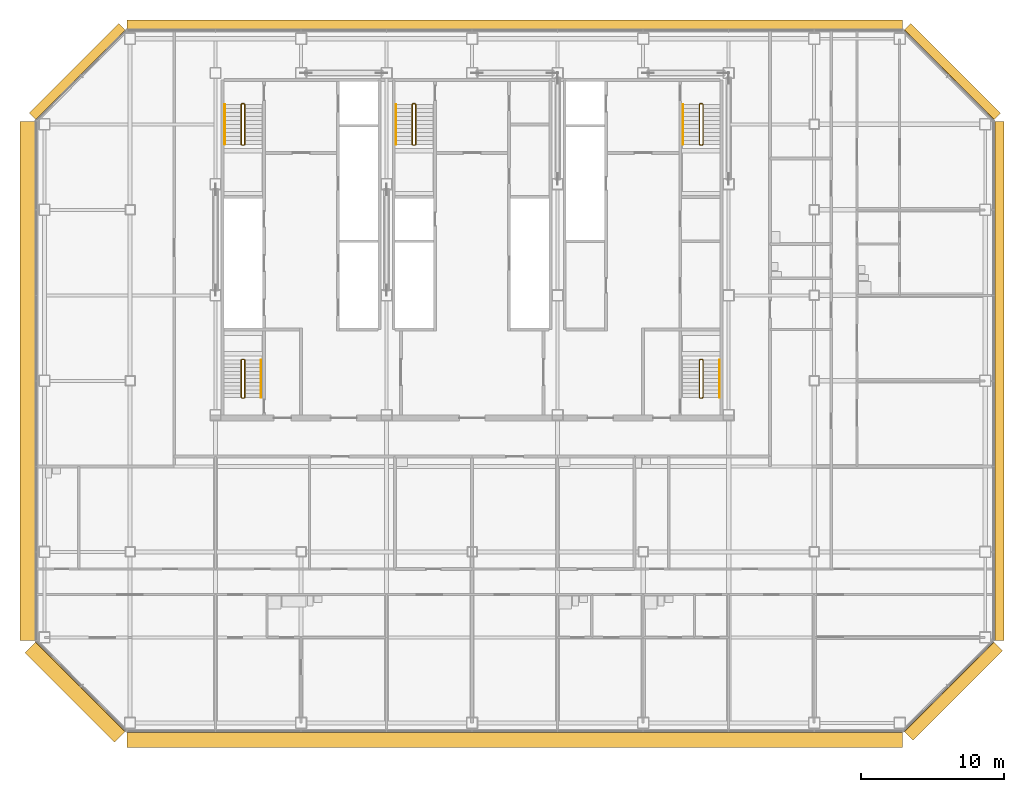
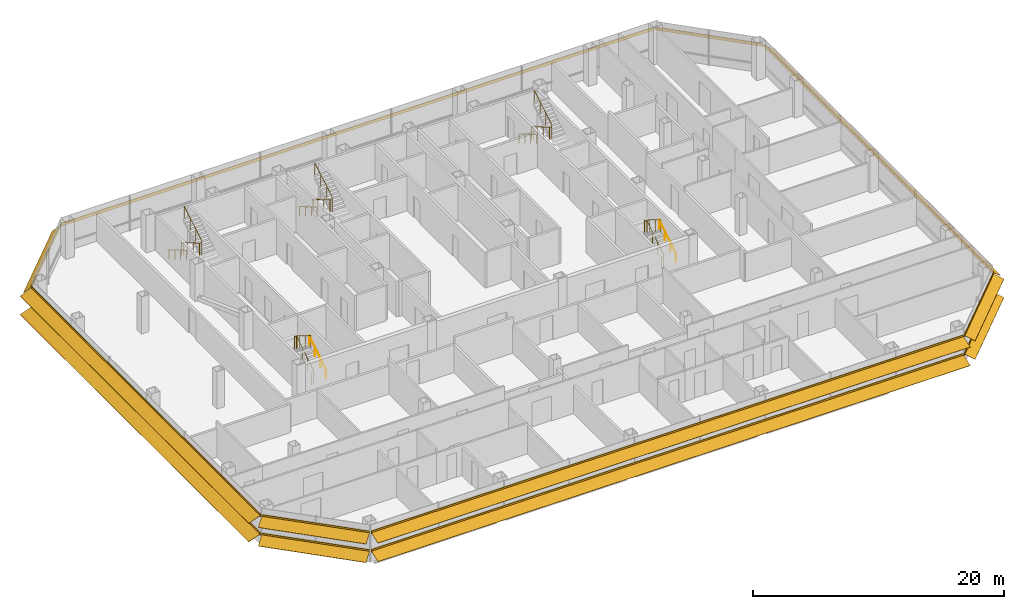
# One storey, part 24 of 25: 10 railings, 8 shading devices.
"""IFC4 building model written with IfcOpenShell, lengths in metres."""

from ifc_helpers import new_model, si_unit, direction, frame, origin, origin_2d, place, context, subcontext, project, spatial, polyline, circle, outline, composite_profile, extrude, material, type_object, element, save


model = new_model("IFC4")

# Units and contexts
model_context = context("Model", 3, precision=1e-05, world=origin(), true_north=direction((0.0, 1.0)))
body_context = subcontext(model_context, "Body", "Model", "MODEL_VIEW")
ifc_project = project(units=[si_unit("LENGTHUNIT", "METRE"), si_unit("AREAUNIT", "SQUARE_METRE"), si_unit("VOLUMEUNIT", "CUBIC_METRE"), si_unit("PLANEANGLEUNIT", "RADIAN"), si_unit("MASSUNIT", "GRAM", prefix="KILO")], contexts=[model_context])

# Site, building, storey
site_placement = place(None, origin())
site = spatial("IfcSite", under=ifc_project, at=site_placement, CompositionType="ELEMENT")
building_placement = place(site_placement, origin())
building = spatial("IfcBuilding", under=site, at=building_placement, Name="Sorahane Residences", CompositionType="ELEMENT")
storey_placement = place(building_placement, frame((0.0, 0.0, 123.199951171875)))
storey = spatial("IfcBuildingStorey", under=building, at=storey_placement, Name="L27", CompositionType="ELEMENT", Elevation=123.199951171875)

# Shading devices
ifc_material_1 = material(Name="Terracotta anodised aluminium", Category="masonry")
shading_device_type_1 = type_object("IfcShadingDeviceType", Name="Louvre sunshade blade E terracotta aluminium 700", PredefinedType="JALOUSIE", material=ifc_material_1)
shading_device_1_placement = place(storey_placement, frame((60.60009765625, 5.801513671875, 2.699951171875), z_axis=(0.0, 1.0, 0.0), x_axis=(-1.0, 0.0, 0.0)))
element("IfcShadingDevice", 1, at=shading_device_1_placement, inside=storey, type_object=shading_device_type_1, Name="Louvre sunshade blade bank E L27 E1", PredefinedType="JALOUSIE", context=body_context, shape_type="SweptSolid", body=[
    extrude(outline(polyline([(-0.719970703125, -0.49365234375), (-0.719970703125, -0.523681640625), (-0.080078125, -0.05859375), (-0.080078125, -0.14990234375), (-0.02001953125, -0.14990234375), (-0.02001953125, -0.014892578125), (-0.02001953125, 0.014892578125), (-0.02001953125, 0.14990234375), (-0.080078125, 0.14990234375), (-0.080078125, -0.028564453125), (-0.719970703125, -0.49365234375)])), origin(), (0.0, 0.0, 1.0), 36.39697265625),
])
ifc_material_2 = material(Name="Terracotta anodised aluminium", Category="masonry")
shading_device_type_2 = type_object("IfcShadingDeviceType", Name="Louvre sunshade blade N terracotta aluminium 700", PredefinedType="JALOUSIE", material=ifc_material_2)
shading_device_2_placement = place(storey_placement, frame((54.198486328125, 48.60009765625, 2.699951171875), z_axis=(-1.0, 0.0, 0.0), x_axis=(0.0, -1.0, 0.0)))
element("IfcShadingDevice", 2, at=shading_device_2_placement, inside=storey, type_object=shading_device_type_2, Name="Louvre sunshade blade bank N L27 N1", PredefinedType="JALOUSIE", context=body_context, shape_type="SweptSolid", body=[
    extrude(outline(polyline([(-0.719970703125, -0.660888671875), (-0.719970703125, -0.69091796875), (-0.080078125, -0.072998046875), (-0.080078125, -0.14990234375), (-0.02001953125, -0.14990234375), (-0.02001953125, -0.014892578125), (-0.02001953125, 0.014892578125), (-0.02001953125, 0.14990234375), (-0.080078125, 0.14990234375), (-0.080078125, -0.04296875), (-0.719970703125, -0.660888671875)])), origin(), (0.0, 0.0, 1.0), 54.39697265625),
])
ifc_material_3 = material(Name="Terracotta anodised aluminium", Category="masonry")
shading_device_type_3 = type_object("IfcShadingDeviceType", Name="Louvre sunshade blade NE terracotta aluminium 700", PredefinedType="JALOUSIE", material=ifc_material_3)
shading_device_3_placement = place(storey_placement, frame((60.564697265625, 42.283935546875, 2.699951171875), z_axis=(-0.707106781187, 0.707106781187, 0.0), x_axis=(-0.707106781187, -0.707106781187, 0.0)))
element("IfcShadingDevice", 3, at=shading_device_3_placement, inside=storey, type_object=shading_device_type_3, Name="Louvre sunshade blade bank NE L27 NE1", PredefinedType="JALOUSIE", context=body_context, shape_type="SweptSolid", body=[
    extrude(outline(polyline([(-0.719970703125, -0.572509765625), (-0.719970703125, -0.602294921875), (-0.080078125, -0.065185546875), (-0.080078125, -0.14990234375), (-0.02001953125, -0.14990234375), (-0.02001953125, -0.014892578125), (-0.02001953125, 0.014892578125), (-0.02001953125, 0.14990234375), (-0.080078125, 0.14990234375), (-0.080078125, -0.035400390625), (-0.719970703125, -0.572509765625)])), origin(), (0.0, 0.0, 1.0), 8.88232421875),
])
ifc_material_4 = material(Name="Terracotta anodised aluminium", Category="masonry")
shading_device_type_4 = type_object("IfcShadingDeviceType", Name="Louvre sunshade blade NW terracotta aluminium 700", PredefinedType="JALOUSIE", material=ifc_material_4)
shading_device_4_placement = place(storey_placement, frame((-0.283935546875, 48.564697265625, 2.699951171875), z_axis=(-0.707106781187, -0.707106781187, 0.0), x_axis=(0.707106781187, -0.707106781187, 0.0)))
element("IfcShadingDevice", 4, at=shading_device_4_placement, inside=storey, type_object=shading_device_type_4, Name="Louvre sunshade blade bank NW L27 NW1", PredefinedType="JALOUSIE", context=body_context, shape_type="SweptSolid", body=[
    extrude(outline(polyline([(-0.719970703125, -0.660888671875), (-0.719970703125, -0.69091796875), (-0.080078125, -0.072998046875), (-0.080078125, -0.14990234375), (-0.02001953125, -0.14990234375), (-0.02001953125, -0.014892578125), (-0.02001953125, 0.014892578125), (-0.02001953125, 0.14990234375), (-0.080078125, 0.14990234375), (-0.080078125, -0.04296875), (-0.719970703125, -0.660888671875)])), origin(), (0.0, 0.0, 1.0), 8.88232421875),
])
ifc_material_5 = material(Name="Terracotta anodised aluminium", Category="masonry")
shading_device_type_5 = type_object("IfcShadingDeviceType", Name="Louvre sunshade blade S terracotta aluminium 1100", PredefinedType="JALOUSIE", material=ifc_material_5)
shading_device_5_placement = place(storey_placement, frame((-0.198486328125, -0.60009765625, 0.900146484375), z_axis=(1.0, 0.0, 0.0), x_axis=(0.0, 1.0, 0.0)))
element("IfcShadingDevice", 5, at=shading_device_5_placement, inside=storey, type_object=shading_device_type_5, Name="Louvre sunshade blade bank S L27 S1", PredefinedType="JALOUSIE", context=body_context, shape_type="SweptSolid", body=[
    extrude(composite_profile([outline(polyline([(-1.1201171875, -0.385498046875), (-1.1201171875, -0.415283203125), (-0.080078125, -0.036865234375), (-0.080078125, -0.14990234375), (-0.02001953125, -0.14990234375), (-0.02001953125, -0.014892578125), (-0.02001953125, 0.014892578125), (-0.02001953125, 0.14990234375), (-0.080078125, 0.14990234375), (-0.080078125, -0.0068359375), (-1.1201171875, -0.385498046875)])), outline(polyline([(-1.1201171875, 1.41455078125), (-1.1201171875, 1.384521484375), (-0.080078125, 1.76318359375), (-0.080078125, 1.64990234375), (-0.02001953125, 1.64990234375), (-0.02001953125, 1.784912109375), (-0.02001953125, 1.81494140625), (-0.02001953125, 1.949951171875), (-0.080078125, 1.949951171875), (-0.080078125, 1.793212890625), (-1.1201171875, 1.41455078125)]))]), origin(), (0.0, 0.0, 1.0), 54.39697265625),
])
ifc_material_6 = material(Name="Terracotta anodised aluminium", Category="masonry")
shading_device_type_6 = type_object("IfcShadingDeviceType", Name="Louvre sunshade blade SE terracotta aluminium 900", PredefinedType="JALOUSIE", material=ifc_material_6)
shading_device_6_placement = place(storey_placement, frame((54.283935546875, -0.564697265625, 0.900146484375), z_axis=(0.707106781187, 0.707106781187, 0.0), x_axis=(-0.707106781187, 0.707106781187, 0.0)))
element("IfcShadingDevice", 6, at=shading_device_6_placement, inside=storey, type_object=shading_device_type_6, Name="Louvre sunshade blade bank SE L27 SE1", PredefinedType="JALOUSIE", context=body_context, shape_type="SweptSolid", body=[
    extrude(composite_profile([outline(polyline([(-0.919921875, -0.3486328125), (-0.919921875, -0.378662109375), (-0.080078125, -0.039306640625), (-0.080078125, -0.14990234375), (-0.02001953125, -0.14990234375), (-0.02001953125, -0.014892578125), (-0.02001953125, 0.014892578125), (-0.02001953125, 0.14990234375), (-0.080078125, 0.14990234375), (-0.080078125, -0.00927734375), (-0.919921875, -0.3486328125)])), outline(polyline([(-0.919921875, 1.451416015625), (-0.919921875, 1.42138671875), (-0.080078125, 1.7607421875), (-0.080078125, 1.64990234375), (-0.02001953125, 1.64990234375), (-0.02001953125, 1.784912109375), (-0.02001953125, 1.81494140625), (-0.02001953125, 1.949951171875), (-0.080078125, 1.949951171875), (-0.080078125, 1.790771484375), (-0.919921875, 1.451416015625)]))]), origin(), (0.0, 0.0, 1.0), 8.88232421875),
])
ifc_material_7 = material(Name="Terracotta anodised aluminium", Category="masonry")
shading_device_type_7 = type_object("IfcShadingDeviceType", Name="Louvre sunshade blade SW terracotta aluminium 1100", PredefinedType="JALOUSIE", material=ifc_material_7)
shading_device_7_placement = place(storey_placement, frame((-6.564697265625, 5.716064453125, 0.900146484375), z_axis=(0.707106781187, -0.707106781187, 0.0), x_axis=(0.707106781187, 0.707106781187, 0.0)))
element("IfcShadingDevice", 7, at=shading_device_7_placement, inside=storey, type_object=shading_device_type_7, Name="Louvre sunshade blade bank SW L27 SW1", PredefinedType="JALOUSIE", context=body_context, shape_type="SweptSolid", body=[
    extrude(composite_profile([outline(polyline([(-1.1201171875, -0.385498046875), (-1.1201171875, -0.415283203125), (-0.080078125, -0.036865234375), (-0.080078125, -0.14990234375), (-0.02001953125, -0.14990234375), (-0.02001953125, -0.014892578125), (-0.02001953125, 0.014892578125), (-0.02001953125, 0.14990234375), (-0.080078125, 0.14990234375), (-0.080078125, -0.0068359375), (-1.1201171875, -0.385498046875)])), outline(polyline([(-1.1201171875, 1.41455078125), (-1.1201171875, 1.384521484375), (-0.080078125, 1.76318359375), (-0.080078125, 1.64990234375), (-0.02001953125, 1.64990234375), (-0.02001953125, 1.784912109375), (-0.02001953125, 1.81494140625), (-0.02001953125, 1.949951171875), (-0.080078125, 1.949951171875), (-0.080078125, 1.793212890625), (-1.1201171875, 1.41455078125)]))]), origin(), (0.0, 0.0, 1.0), 8.88232421875),
])
ifc_material_8 = material(Name="Terracotta anodised aluminium", Category="masonry")
shading_device_type_8 = type_object("IfcShadingDeviceType", Name="Louvre sunshade blade W terracotta aluminium 1100", PredefinedType="JALOUSIE", material=ifc_material_8)
shading_device_8_placement = place(storey_placement, frame((-6.60009765625, 42.198486328125, 0.900146484375), z_axis=(0.0, -1.0, 0.0), x_axis=(1.0, 0.0, 0.0)))
element("IfcShadingDevice", 8, at=shading_device_8_placement, inside=storey, type_object=shading_device_type_8, Name="Louvre sunshade blade bank W L27 W1", PredefinedType="JALOUSIE", context=body_context, shape_type="SweptSolid", body=[
    extrude(composite_profile([outline(polyline([(-1.1201171875, -0.385498046875), (-1.1201171875, -0.415283203125), (-0.080078125, -0.036865234375), (-0.080078125, -0.14990234375), (-0.02001953125, -0.14990234375), (-0.02001953125, -0.014892578125), (-0.02001953125, 0.014892578125), (-0.02001953125, 0.14990234375), (-0.080078125, 0.14990234375), (-0.080078125, -0.0068359375), (-1.1201171875, -0.385498046875)])), outline(polyline([(-1.1201171875, 1.41455078125), (-1.1201171875, 1.384521484375), (-0.080078125, 1.76318359375), (-0.080078125, 1.64990234375), (-0.02001953125, 1.64990234375), (-0.02001953125, 1.784912109375), (-0.02001953125, 1.81494140625), (-0.02001953125, 1.949951171875), (-0.080078125, 1.949951171875), (-0.080078125, 1.793212890625), (-1.1201171875, 1.41455078125)]))]), origin(), (0.0, 0.0, 1.0), 36.39697265625),
])

# Railings
ifc_material_9 = material(Name="Steel Q355B", Category="steel")
railing_type_1 = type_object("IfcRailingType", Name="Stair guard 1200 Steel Q355B", PredefinedType="GUARDRAIL", material=ifc_material_9)
railing_1_placement = place(storey_placement, frame((8.0, 43.449951171875, 0.0)))
element("IfcRailing", 9, at=railing_1_placement, inside=storey, type_object=railing_type_1, Name="L27 S1 stair guard 1", PredefinedType="GUARDRAIL", context=body_context, shape_type="SweptSolid", body=[
    extrude(circle(Radius=0.02392578125, at=origin_2d()), frame((0.0, 0.0, 1.17578125), z_axis=(-1.0, 0.0, 0.0), x_axis=(0.0, -1.0, 0.0)), (0.0, 0.0, 1.0), 0.14990234375),
    extrude(circle(Radius=0.02392578125, at=origin_2d()), frame((-0.14990234375, 0.0, 1.17578125), z_axis=(-0.280808744504, -0.280808744504, 0.917765164963), x_axis=(0.707106781187, -0.707106781187, 0.0)), (0.0, 0.0, 1.0), 0.17822265625),
    extrude(circle(Radius=0.02392578125, at=origin_2d()), frame((-0.199951171875, -0.050048828125, 1.33935546875), z_axis=(0.0, -0.863341702679, 0.504619762213), x_axis=(1.0, 0.0, 0.0)), (0.0, 0.0, 1.0), 3.242919921875),
    extrude(circle(Radius=0.02392578125, at=origin_2d()), frame((-0.199951171875, -2.849853515625, 2.97607421875), z_axis=(0.707106781187, -0.707106781187, 0.0), x_axis=(0.707106781187, 0.707106781187, 0.0)), (0.0, 0.0, 1.0), 0.07080078125),
    extrude(circle(Radius=0.02392578125, at=origin_2d()), frame((-0.14990234375, -2.89990234375, 2.97607421875), z_axis=(1.0, 0.0, 0.0), x_axis=(0.0, 1.0, 0.0)), (0.0, 0.0, 1.0), 0.14990234375),
    extrude(circle(Radius=0.02392578125, at=origin_2d()), frame((0.0, -2.89990234375, 2.97607421875), z_axis=(0.280808744504, 0.280808744504, 0.917765164963), x_axis=(-0.707106781187, 0.707106781187, 0.0)), (0.0, 0.0, 1.0), 0.17822265625),
    extrude(circle(Radius=0.02392578125, at=origin_2d()), frame((0.050048828125, -2.849853515625, 3.1396484375), z_axis=(0.0, 0.863341702679, 0.504619762213), x_axis=(-1.0, 0.0, 0.0)), (0.0, 0.0, 1.0), 3.242919921875),
    extrude(circle(Radius=0.02099609375, at=origin_2d()), origin(), (0.0, 0.0, 1.0), 1.15185546875),
    extrude(circle(Radius=0.02099609375, at=origin_2d()), frame((-0.14990234375, 0.0, 0.0)), (0.0, 0.0, 1.0), 1.15185546875),
    extrude(circle(Radius=0.02099609375, at=origin_2d()), frame((-0.199951171875, -0.050048828125, 0.16357421875)), (0.0, 0.0, 1.0), 1.15185546875),
    extrude(circle(Radius=0.02099609375, at=origin_2d()), frame((-0.199951171875, -0.9833984375, 0.708984375)), (0.0, 0.0, 1.0), 1.15185546875),
    extrude(circle(Radius=0.02099609375, at=origin_2d()), frame((-0.199951171875, -1.91650390625, 1.254638671875)), (0.0, 0.0, 1.0), 1.15185546875),
    extrude(circle(Radius=0.02099609375, at=origin_2d()), frame((-0.199951171875, -2.849853515625, 1.800048828125)), (0.0, 0.0, 1.0), 1.15185546875),
    extrude(circle(Radius=0.02099609375, at=origin_2d()), frame((-0.14990234375, -2.89990234375, 1.800048828125)), (0.0, 0.0, 1.0), 1.15185546875),
    extrude(circle(Radius=0.02099609375, at=origin_2d()), frame((0.0, -2.89990234375, 1.800048828125)), (0.0, 0.0, 1.0), 1.15185546875),
    extrude(circle(Radius=0.02099609375, at=origin_2d()), frame((0.050048828125, -2.849853515625, 1.963623046875)), (0.0, 0.0, 1.0), 1.15185546875),
    extrude(circle(Radius=0.02099609375, at=origin_2d()), frame((0.050048828125, -1.91650390625, 2.509033203125)), (0.0, 0.0, 1.0), 1.15185546875),
    extrude(circle(Radius=0.02099609375, at=origin_2d()), frame((0.050048828125, -0.9833984375, 3.0546875)), (0.0, 0.0, 1.0), 1.15185546875),
    extrude(circle(Radius=0.02099609375, at=origin_2d()), frame((0.050048828125, -0.050048828125, 3.60009765625)), (0.0, 0.0, 1.0), 1.15185546875),
])
railing_2_placement = place(storey_placement, frame((40.14990234375, 43.449951171875, 0.0)))
element("IfcRailing", 10, at=railing_2_placement, inside=storey, type_object=railing_type_1, Name="L27 S2 stair guard 1", PredefinedType="GUARDRAIL", context=body_context, shape_type="SweptSolid", body=[
    extrude(circle(Radius=0.02392578125, at=origin_2d()), frame((0.0, 0.0, 1.17578125), z_axis=(-1.0, 0.0, 0.0), x_axis=(0.0, -1.0, 0.0)), (0.0, 0.0, 1.0), 0.14990234375),
    extrude(circle(Radius=0.02392578125, at=origin_2d()), frame((-0.14990234375, 0.0, 1.17578125), z_axis=(-0.280808744504, -0.280808744504, 0.917765164963), x_axis=(0.707106781187, -0.707106781187, 0.0)), (0.0, 0.0, 1.0), 0.17822265625),
    extrude(circle(Radius=0.02392578125, at=origin_2d()), frame((-0.199951171875, -0.050048828125, 1.33935546875), z_axis=(0.0, -0.863341702679, 0.504619762213), x_axis=(1.0, 0.0, 0.0)), (0.0, 0.0, 1.0), 3.242919921875),
    extrude(circle(Radius=0.02392578125, at=origin_2d()), frame((-0.199951171875, -2.849853515625, 2.97607421875), z_axis=(0.707106781187, -0.707106781187, 0.0), x_axis=(0.707106781187, 0.707106781187, 0.0)), (0.0, 0.0, 1.0), 0.07080078125),
    extrude(circle(Radius=0.02392578125, at=origin_2d()), frame((-0.14990234375, -2.89990234375, 2.97607421875), z_axis=(1.0, 0.0, 0.0), x_axis=(0.0, 1.0, 0.0)), (0.0, 0.0, 1.0), 0.14990234375),
    extrude(circle(Radius=0.02392578125, at=origin_2d()), frame((0.0, -2.89990234375, 2.97607421875), z_axis=(0.280808744504, 0.280808744504, 0.917765164963), x_axis=(-0.707106781187, 0.707106781187, 0.0)), (0.0, 0.0, 1.0), 0.17822265625),
    extrude(circle(Radius=0.02392578125, at=origin_2d()), frame((0.050048828125, -2.849853515625, 3.1396484375), z_axis=(0.0, 0.863341702679, 0.504619762213), x_axis=(-1.0, 0.0, 0.0)), (0.0, 0.0, 1.0), 3.242919921875),
    extrude(circle(Radius=0.02099609375, at=origin_2d()), origin(), (0.0, 0.0, 1.0), 1.15185546875),
    extrude(circle(Radius=0.02099609375, at=origin_2d()), frame((-0.14990234375, 0.0, 0.0)), (0.0, 0.0, 1.0), 1.15185546875),
    extrude(circle(Radius=0.02099609375, at=origin_2d()), frame((-0.199951171875, -0.050048828125, 0.16357421875)), (0.0, 0.0, 1.0), 1.15185546875),
    extrude(circle(Radius=0.02099609375, at=origin_2d()), frame((-0.199951171875, -0.9833984375, 0.708984375)), (0.0, 0.0, 1.0), 1.15185546875),
    extrude(circle(Radius=0.02099609375, at=origin_2d()), frame((-0.199951171875, -1.91650390625, 1.254638671875)), (0.0, 0.0, 1.0), 1.15185546875),
    extrude(circle(Radius=0.02099609375, at=origin_2d()), frame((-0.199951171875, -2.849853515625, 1.800048828125)), (0.0, 0.0, 1.0), 1.15185546875),
    extrude(circle(Radius=0.02099609375, at=origin_2d()), frame((-0.14990234375, -2.89990234375, 1.800048828125)), (0.0, 0.0, 1.0), 1.15185546875),
    extrude(circle(Radius=0.02099609375, at=origin_2d()), frame((0.0, -2.89990234375, 1.800048828125)), (0.0, 0.0, 1.0), 1.15185546875),
    extrude(circle(Radius=0.02099609375, at=origin_2d()), frame((0.050048828125, -2.849853515625, 1.963623046875)), (0.0, 0.0, 1.0), 1.15185546875),
    extrude(circle(Radius=0.02099609375, at=origin_2d()), frame((0.050048828125, -1.91650390625, 2.509033203125)), (0.0, 0.0, 1.0), 1.15185546875),
    extrude(circle(Radius=0.02099609375, at=origin_2d()), frame((0.050048828125, -0.9833984375, 3.0546875)), (0.0, 0.0, 1.0), 1.15185546875),
    extrude(circle(Radius=0.02099609375, at=origin_2d()), frame((0.050048828125, -0.050048828125, 3.60009765625)), (0.0, 0.0, 1.0), 1.15185546875),
])
railing_3_placement = place(storey_placement, frame((20.0, 43.449951171875, 0.0)))
element("IfcRailing", 11, at=railing_3_placement, inside=storey, type_object=railing_type_1, Name="L27 S3 stair guard 1", PredefinedType="GUARDRAIL", context=body_context, shape_type="SweptSolid", body=[
    extrude(circle(Radius=0.02392578125, at=origin_2d()), frame((0.0, 0.0, 1.17578125), z_axis=(-1.0, 0.0, 0.0), x_axis=(0.0, -1.0, 0.0)), (0.0, 0.0, 1.0), 0.14990234375),
    extrude(circle(Radius=0.02392578125, at=origin_2d()), frame((-0.14990234375, 0.0, 1.17578125), z_axis=(-0.280808744504, -0.280808744504, 0.917765164963), x_axis=(0.707106781187, -0.707106781187, 0.0)), (0.0, 0.0, 1.0), 0.17822265625),
    extrude(circle(Radius=0.02392578125, at=origin_2d()), frame((-0.199951171875, -0.050048828125, 1.33935546875), z_axis=(0.0, -0.863341702679, 0.504619762213), x_axis=(1.0, 0.0, 0.0)), (0.0, 0.0, 1.0), 3.242919921875),
    extrude(circle(Radius=0.02392578125, at=origin_2d()), frame((-0.199951171875, -2.849853515625, 2.97607421875), z_axis=(0.707106781187, -0.707106781187, 0.0), x_axis=(0.707106781187, 0.707106781187, 0.0)), (0.0, 0.0, 1.0), 0.07080078125),
    extrude(circle(Radius=0.02392578125, at=origin_2d()), frame((-0.14990234375, -2.89990234375, 2.97607421875), z_axis=(1.0, 0.0, 0.0), x_axis=(0.0, 1.0, 0.0)), (0.0, 0.0, 1.0), 0.14990234375),
    extrude(circle(Radius=0.02392578125, at=origin_2d()), frame((0.0, -2.89990234375, 2.97607421875), z_axis=(0.280808744504, 0.280808744504, 0.917765164963), x_axis=(-0.707106781187, 0.707106781187, 0.0)), (0.0, 0.0, 1.0), 0.17822265625),
    extrude(circle(Radius=0.02392578125, at=origin_2d()), frame((0.050048828125, -2.849853515625, 3.1396484375), z_axis=(0.0, 0.863341702679, 0.504619762213), x_axis=(-1.0, 0.0, 0.0)), (0.0, 0.0, 1.0), 3.242919921875),
    extrude(circle(Radius=0.02099609375, at=origin_2d()), origin(), (0.0, 0.0, 1.0), 1.15185546875),
    extrude(circle(Radius=0.02099609375, at=origin_2d()), frame((-0.14990234375, 0.0, 0.0)), (0.0, 0.0, 1.0), 1.15185546875),
    extrude(circle(Radius=0.02099609375, at=origin_2d()), frame((-0.199951171875, -0.050048828125, 0.16357421875)), (0.0, 0.0, 1.0), 1.15185546875),
    extrude(circle(Radius=0.02099609375, at=origin_2d()), frame((-0.199951171875, -0.9833984375, 0.708984375)), (0.0, 0.0, 1.0), 1.15185546875),
    extrude(circle(Radius=0.02099609375, at=origin_2d()), frame((-0.199951171875, -1.91650390625, 1.254638671875)), (0.0, 0.0, 1.0), 1.15185546875),
    extrude(circle(Radius=0.02099609375, at=origin_2d()), frame((-0.199951171875, -2.849853515625, 1.800048828125)), (0.0, 0.0, 1.0), 1.15185546875),
    extrude(circle(Radius=0.02099609375, at=origin_2d()), frame((-0.14990234375, -2.89990234375, 1.800048828125)), (0.0, 0.0, 1.0), 1.15185546875),
    extrude(circle(Radius=0.02099609375, at=origin_2d()), frame((0.0, -2.89990234375, 1.800048828125)), (0.0, 0.0, 1.0), 1.15185546875),
    extrude(circle(Radius=0.02099609375, at=origin_2d()), frame((0.050048828125, -2.849853515625, 1.963623046875)), (0.0, 0.0, 1.0), 1.15185546875),
    extrude(circle(Radius=0.02099609375, at=origin_2d()), frame((0.050048828125, -1.91650390625, 2.509033203125)), (0.0, 0.0, 1.0), 1.15185546875),
    extrude(circle(Radius=0.02099609375, at=origin_2d()), frame((0.050048828125, -0.9833984375, 3.0546875)), (0.0, 0.0, 1.0), 1.15185546875),
    extrude(circle(Radius=0.02099609375, at=origin_2d()), frame((0.050048828125, -0.050048828125, 3.60009765625)), (0.0, 0.0, 1.0), 1.15185546875),
])
railing_4_placement = place(storey_placement, frame((7.85009765625, 22.800048828125, 0.0)))
element("IfcRailing", 12, at=railing_4_placement, inside=storey, type_object=railing_type_1, Name="L27 S4 stair guard 1", PredefinedType="GUARDRAIL", context=body_context, shape_type="SweptSolid", body=[
    extrude(circle(Radius=0.02392578125, at=origin_2d()), frame((0.0, 0.0, 1.17578125), z_axis=(1.0, 0.0, 0.0), x_axis=(0.0, 1.0, 0.0)), (0.0, 0.0, 1.0), 0.14990234375),
    extrude(circle(Radius=0.02392578125, at=origin_2d()), frame((0.14990234375, 0.0, 1.17578125), z_axis=(0.280808744504, 0.280808744504, 0.917765164963), x_axis=(-0.707106781187, 0.707106781187, 0.0)), (0.0, 0.0, 1.0), 0.17822265625),
    extrude(circle(Radius=0.02392578125, at=origin_2d()), frame((0.199951171875, 0.050048828125, 1.33935546875), z_axis=(0.0, 0.846301844409, 0.532703658848), x_axis=(-1.0, 0.0, 0.0)), (0.0, 0.0, 1.0), 3.072021484375),
    extrude(circle(Radius=0.02392578125, at=origin_2d()), frame((0.199951171875, 2.64990234375, 2.97607421875), z_axis=(-0.707106781187, 0.707106781187, 0.0), x_axis=(-0.707106781187, -0.707106781187, 0.0)), (0.0, 0.0, 1.0), 0.07080078125),
    extrude(circle(Radius=0.02392578125, at=origin_2d()), frame((0.14990234375, 2.699951171875, 2.97607421875), z_axis=(-1.0, 0.0, 0.0), x_axis=(0.0, -1.0, 0.0)), (0.0, 0.0, 1.0), 0.14990234375),
    extrude(circle(Radius=0.02392578125, at=origin_2d()), frame((0.0, 2.699951171875, 2.97607421875), z_axis=(-0.280808744504, -0.280808744504, 0.917765164963), x_axis=(0.707106781187, -0.707106781187, 0.0)), (0.0, 0.0, 1.0), 0.17822265625),
    extrude(circle(Radius=0.02392578125, at=origin_2d()), frame((-0.050048828125, 2.64990234375, 3.1396484375), z_axis=(0.0, -0.846301844409, 0.532703658848), x_axis=(1.0, 0.0, 0.0)), (0.0, 0.0, 1.0), 3.072021484375),
    extrude(circle(Radius=0.02099609375, at=origin_2d()), origin(), (0.0, 0.0, 1.0), 1.15185546875),
    extrude(circle(Radius=0.02099609375, at=origin_2d()), frame((0.14990234375, 0.0, 0.0)), (0.0, 0.0, 1.0), 1.15185546875),
    extrude(circle(Radius=0.02099609375, at=origin_2d()), frame((0.199951171875, 0.050048828125, 0.16357421875)), (0.0, 0.0, 1.0), 1.15185546875),
    extrude(circle(Radius=0.02099609375, at=origin_2d()), frame((0.199951171875, 0.916748046875, 0.708984375)), (0.0, 0.0, 1.0), 1.15185546875),
    extrude(circle(Radius=0.02099609375, at=origin_2d()), frame((0.199951171875, 1.783203125, 1.254638671875)), (0.0, 0.0, 1.0), 1.15185546875),
    extrude(circle(Radius=0.02099609375, at=origin_2d()), frame((0.199951171875, 2.64990234375, 1.800048828125)), (0.0, 0.0, 1.0), 1.15185546875),
    extrude(circle(Radius=0.02099609375, at=origin_2d()), frame((0.14990234375, 2.699951171875, 1.800048828125)), (0.0, 0.0, 1.0), 1.15185546875),
    extrude(circle(Radius=0.02099609375, at=origin_2d()), frame((0.0, 2.699951171875, 1.800048828125)), (0.0, 0.0, 1.0), 1.15185546875),
    extrude(circle(Radius=0.02099609375, at=origin_2d()), frame((-0.050048828125, 2.64990234375, 1.963623046875)), (0.0, 0.0, 1.0), 1.15185546875),
    extrude(circle(Radius=0.02099609375, at=origin_2d()), frame((-0.050048828125, 1.783203125, 2.509033203125)), (0.0, 0.0, 1.0), 1.15185546875),
    extrude(circle(Radius=0.02099609375, at=origin_2d()), frame((-0.050048828125, 0.916748046875, 3.0546875)), (0.0, 0.0, 1.0), 1.15185546875),
    extrude(circle(Radius=0.02099609375, at=origin_2d()), frame((-0.050048828125, 0.050048828125, 3.60009765625)), (0.0, 0.0, 1.0), 1.15185546875),
])
railing_5_placement = place(storey_placement, frame((40.0, 22.800048828125, 0.0)))
element("IfcRailing", 13, at=railing_5_placement, inside=storey, type_object=railing_type_1, Name="L27 S5 stair guard 1", PredefinedType="GUARDRAIL", context=body_context, shape_type="SweptSolid", body=[
    extrude(circle(Radius=0.02392578125, at=origin_2d()), frame((0.0, 0.0, 1.17578125), z_axis=(1.0, 0.0, 0.0), x_axis=(0.0, 1.0, 0.0)), (0.0, 0.0, 1.0), 0.14990234375),
    extrude(circle(Radius=0.02392578125, at=origin_2d()), frame((0.14990234375, 0.0, 1.17578125), z_axis=(0.280808744504, 0.280808744504, 0.917765164963), x_axis=(-0.707106781187, 0.707106781187, 0.0)), (0.0, 0.0, 1.0), 0.17822265625),
    extrude(circle(Radius=0.02392578125, at=origin_2d()), frame((0.199951171875, 0.050048828125, 1.33935546875), z_axis=(0.0, 0.846301844409, 0.532703658848), x_axis=(-1.0, 0.0, 0.0)), (0.0, 0.0, 1.0), 3.072021484375),
    extrude(circle(Radius=0.02392578125, at=origin_2d()), frame((0.199951171875, 2.64990234375, 2.97607421875), z_axis=(-0.707106781187, 0.707106781187, 0.0), x_axis=(-0.707106781187, -0.707106781187, 0.0)), (0.0, 0.0, 1.0), 0.07080078125),
    extrude(circle(Radius=0.02392578125, at=origin_2d()), frame((0.14990234375, 2.699951171875, 2.97607421875), z_axis=(-1.0, 0.0, 0.0), x_axis=(0.0, -1.0, 0.0)), (0.0, 0.0, 1.0), 0.14990234375),
    extrude(circle(Radius=0.02392578125, at=origin_2d()), frame((0.0, 2.699951171875, 2.97607421875), z_axis=(-0.280808744504, -0.280808744504, 0.917765164963), x_axis=(0.707106781187, -0.707106781187, 0.0)), (0.0, 0.0, 1.0), 0.17822265625),
    extrude(circle(Radius=0.02392578125, at=origin_2d()), frame((-0.050048828125, 2.64990234375, 3.1396484375), z_axis=(0.0, -0.846301844409, 0.532703658848), x_axis=(1.0, 0.0, 0.0)), (0.0, 0.0, 1.0), 3.072021484375),
    extrude(circle(Radius=0.02099609375, at=origin_2d()), origin(), (0.0, 0.0, 1.0), 1.15185546875),
    extrude(circle(Radius=0.02099609375, at=origin_2d()), frame((0.14990234375, 0.0, 0.0)), (0.0, 0.0, 1.0), 1.15185546875),
    extrude(circle(Radius=0.02099609375, at=origin_2d()), frame((0.199951171875, 0.050048828125, 0.16357421875)), (0.0, 0.0, 1.0), 1.15185546875),
    extrude(circle(Radius=0.02099609375, at=origin_2d()), frame((0.199951171875, 0.916748046875, 0.708984375)), (0.0, 0.0, 1.0), 1.15185546875),
    extrude(circle(Radius=0.02099609375, at=origin_2d()), frame((0.199951171875, 1.783203125, 1.254638671875)), (0.0, 0.0, 1.0), 1.15185546875),
    extrude(circle(Radius=0.02099609375, at=origin_2d()), frame((0.199951171875, 2.64990234375, 1.800048828125)), (0.0, 0.0, 1.0), 1.15185546875),
    extrude(circle(Radius=0.02099609375, at=origin_2d()), frame((0.14990234375, 2.699951171875, 1.800048828125)), (0.0, 0.0, 1.0), 1.15185546875),
    extrude(circle(Radius=0.02099609375, at=origin_2d()), frame((0.0, 2.699951171875, 1.800048828125)), (0.0, 0.0, 1.0), 1.15185546875),
    extrude(circle(Radius=0.02099609375, at=origin_2d()), frame((-0.050048828125, 2.64990234375, 1.963623046875)), (0.0, 0.0, 1.0), 1.15185546875),
    extrude(circle(Radius=0.02099609375, at=origin_2d()), frame((-0.050048828125, 1.783203125, 2.509033203125)), (0.0, 0.0, 1.0), 1.15185546875),
    extrude(circle(Radius=0.02099609375, at=origin_2d()), frame((-0.050048828125, 0.916748046875, 3.0546875)), (0.0, 0.0, 1.0), 1.15185546875),
    extrude(circle(Radius=0.02099609375, at=origin_2d()), frame((-0.050048828125, 0.050048828125, 3.60009765625)), (0.0, 0.0, 1.0), 1.15185546875),
])
ifc_material_10 = material(Name="Steel Q355B", Category="steel")
railing_type_2 = type_object("IfcRailingType", Name="Stair handrail 900 Steel Q355B", PredefinedType="HANDRAIL", material=ifc_material_10)
for number, where, name in (
    (14, (6.64990234375, 43.39990234375, 0.16357421875), "L27 S1 stair handrail 1"),
    (15, (38.800048828125, 43.39990234375, 0.16357421875), "L27 S2 stair handrail 1"),
    (16, (18.64990234375, 43.39990234375, 0.16357421875), "L27 S3 stair handrail 1"),
):
    element("IfcRailing", number, at=place(storey_placement, frame(where)), inside=storey, type_object=railing_type_2, Name=name, PredefinedType="HANDRAIL", context=body_context, shape_type="SweptSolid", body=[
        extrude(circle(Radius=0.02392578125, at=origin_2d()), frame((0.0, 0.0, 0.8759765625), z_axis=(0.0, -0.863341702679, 0.504619762213), x_axis=(1.0, 0.0, 0.0)), (0.0, 0.0, 1.0), 3.242919921875),
        extrude(circle(Radius=0.02099609375, at=origin_2d()), origin(), (0.0, 0.0, 1.0), 0.851806640625),
        extrude(circle(Radius=0.02099609375, at=origin_2d()), frame((0.0, -0.933349609375, 0.54541015625)), (0.0, 0.0, 1.0), 0.851806640625),
        extrude(circle(Radius=0.02099609375, at=origin_2d()), frame((0.0, -1.866455078125, 1.091064453125)), (0.0, 0.0, 1.0), 0.851806640625),
        extrude(circle(Radius=0.02099609375, at=origin_2d()), frame((0.0, -2.7998046875, 1.636474609375)), (0.0, 0.0, 1.0), 0.851806640625),
    ])
for number, where, name in (
    (17, (9.199951171875, 22.85009765625, 0.16357421875), "L27 S4 stair handrail 1"),
    (18, (41.35009765625, 22.85009765625, 0.16357421875), "L27 S5 stair handrail 1"),
):
    element("IfcRailing", number, at=place(storey_placement, frame(where)), inside=storey, type_object=railing_type_2, Name=name, PredefinedType="HANDRAIL", context=body_context, shape_type="SweptSolid", body=[
        extrude(circle(Radius=0.02392578125, at=origin_2d()), frame((0.0, 0.0, 0.8759765625), z_axis=(0.0, 0.846301844409, 0.532703658848), x_axis=(-1.0, 0.0, 0.0)), (0.0, 0.0, 1.0), 3.072021484375),
        extrude(circle(Radius=0.02099609375, at=origin_2d()), origin(), (0.0, 0.0, 1.0), 0.851806640625),
        extrude(circle(Radius=0.02099609375, at=origin_2d()), frame((0.0, 0.86669921875, 0.54541015625)), (0.0, 0.0, 1.0), 0.851806640625),
        extrude(circle(Radius=0.02099609375, at=origin_2d()), frame((0.0, 1.733154296875, 1.091064453125)), (0.0, 0.0, 1.0), 0.851806640625),
        extrude(circle(Radius=0.02099609375, at=origin_2d()), frame((0.0, 2.599853515625, 1.636474609375)), (0.0, 0.0, 1.0), 0.851806640625),
    ])

save(model, "model.ifc")
